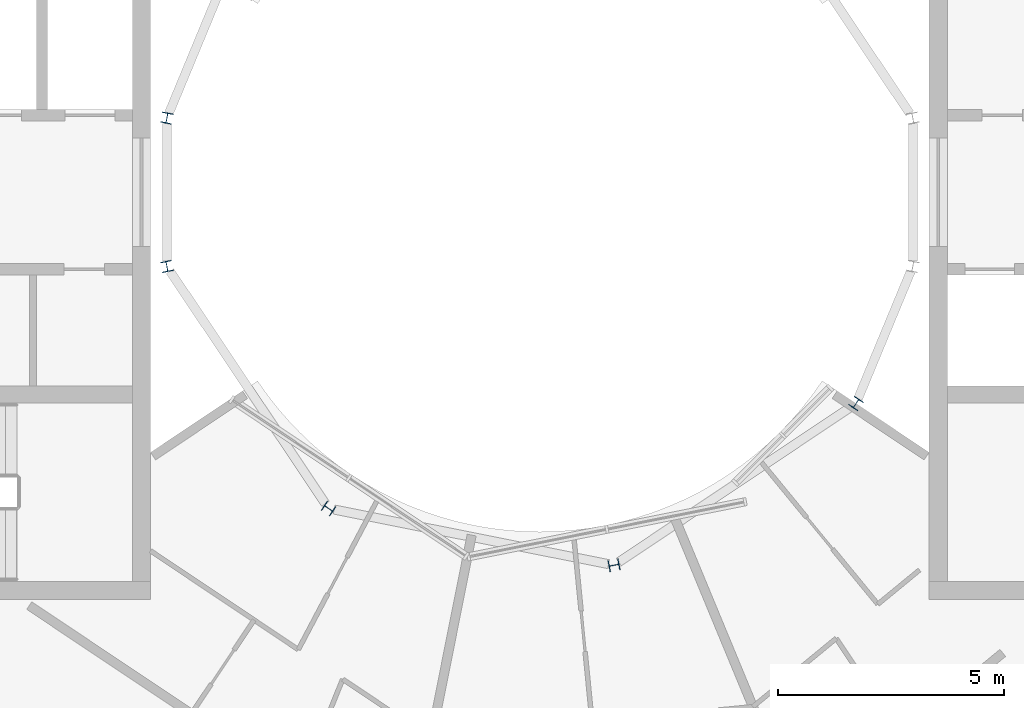
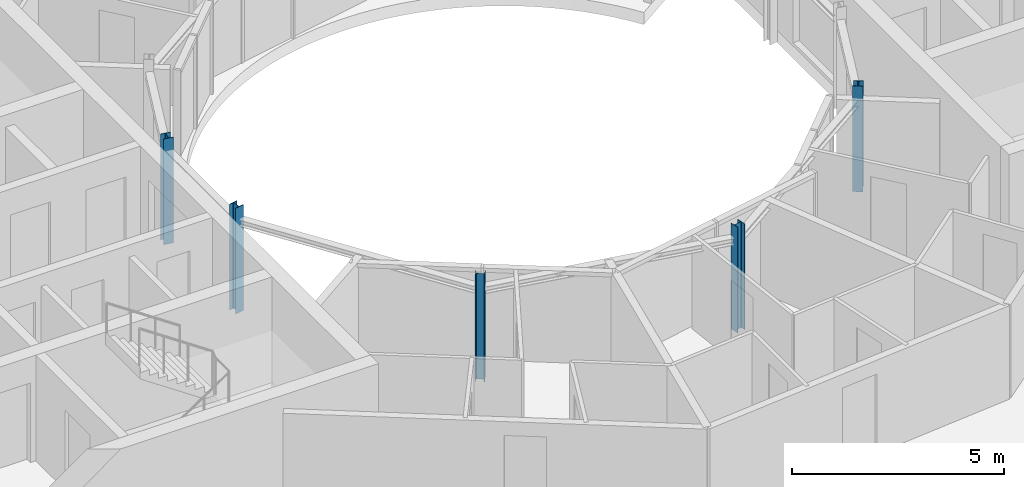
# One storey, part 2 of 27: 5 columns.
"""IFC4 building model written with IfcOpenShell, lengths in metres."""

from ifc_helpers import new_model, si_unit, direction, frame, origin, origin_2d, place, context, subcontext, project, spatial, i_section, extrude, material, material_profile, profile_set, type_object, element, save


model = new_model("IFC4")

# Units and contexts
model_context = context("Model", 3, precision=1e-05, world=origin(), true_north=direction((0.0, 1.0)))
body_context = subcontext(model_context, "Body", "Model", "MODEL_VIEW")
ifc_project = project(units=[si_unit("LENGTHUNIT", "METRE"), si_unit("AREAUNIT", "SQUARE_METRE"), si_unit("VOLUMEUNIT", "CUBIC_METRE"), si_unit("PLANEANGLEUNIT", "RADIAN"), si_unit("MASSUNIT", "GRAM", prefix="KILO")], contexts=[model_context])

# Site, building, storey
site_placement = place(None, origin())
site = spatial("IfcSite", under=ifc_project, at=site_placement, CompositionType="ELEMENT")
building_placement = place(site_placement, origin())
building = spatial("IfcBuilding", under=site, at=building_placement, Name="Maasbend Ring Residences", CompositionType="ELEMENT")
storey_placement = place(building_placement, frame((0.0, 0.0, 240.14990234375)))
storey = spatial("IfcBuildingStorey", under=building, at=storey_placement, Name="L69", CompositionType="ELEMENT", Elevation=240.14990234375)

# Columns
ifc_material = material(Name="Steel S355J2", Category="steel")
ifc_material_profile = material_profile(ifc_material, i_section(OverallWidth=0.239990234375, OverallDepth=0.22998046875, WebThickness=0.007568359375, FlangeThickness=0.011962890625, FilletRadius=0.02099609375, at=origin_2d()), Name="HEA 240")
ifc_profile_set = profile_set([ifc_material_profile], Name="Steel S355J2")
column_type = type_object("IfcColumnType", Name="Steel column HEA 240", PredefinedType="COLUMN", material=ifc_profile_set)
for number, where, z_axis, x_axis, name in (
    (1, (-8.238525390625, 1.638916015625, 0.0), (0.0, 0.0, 1.0), (-0.980785280403, 0.195090322016, 0.0), "Well ring column R8"),
    (2, (-8.238525390625, -1.638916015625, 0.0), (0.0, 0.0, 1.0), (-0.980785280403, -0.195090322016, 0.0), "Well ring column R9"),
    (3, (-4.666748046875, -6.984375, 0.0), (0.0, 0.0, 1.0), (-0.55557023302, -0.831469612303, 0.0), "Well ring column R11"),
    (4, (1.638916015625, -8.238525390625, 0.0), (0.0, 0.0, 1.0), (0.195090322016, -0.980785280403, 0.0), "Well ring column R13"),
    (5, (6.984375, -4.666748046875, 0.0), (0.0, 0.0, 1.0), (0.831469612303, -0.55557023302, 0.0), "Well ring column R15"),
):
    element("IfcColumn", number, at=place(storey_placement, frame(where, z_axis=z_axis, x_axis=x_axis)), inside=storey, type_object=column_type, Name=name, PredefinedType="COLUMN", context=body_context, shape_type="SweptSolid", body=[
        extrude(i_section(OverallWidth=0.239990234375, OverallDepth=0.22998046875, WebThickness=0.007568359375, FlangeThickness=0.011962890625, FilletRadius=0.02099609375, at=origin_2d()), origin(), (0.0, 0.0, 1.0), 3.050048828125),
    ])

save(model, "model.ifc")
